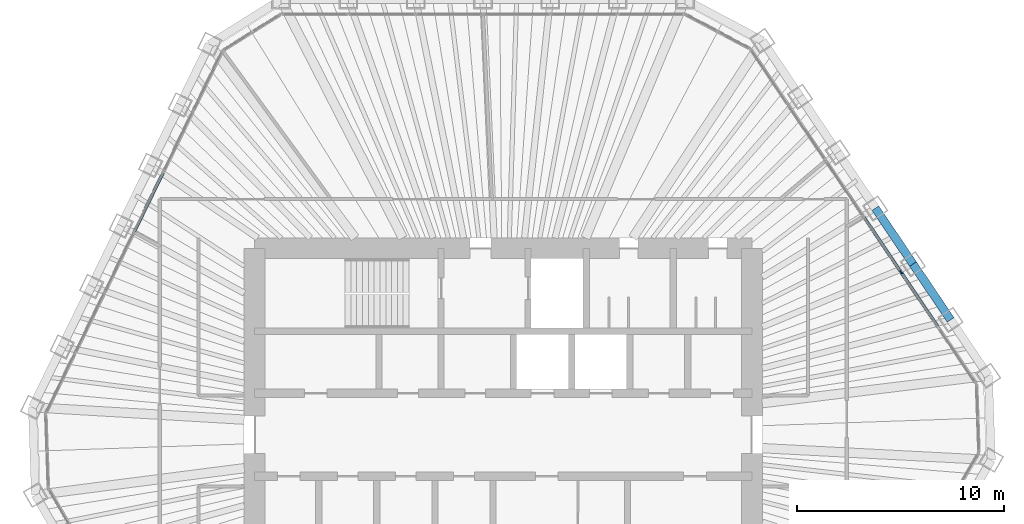
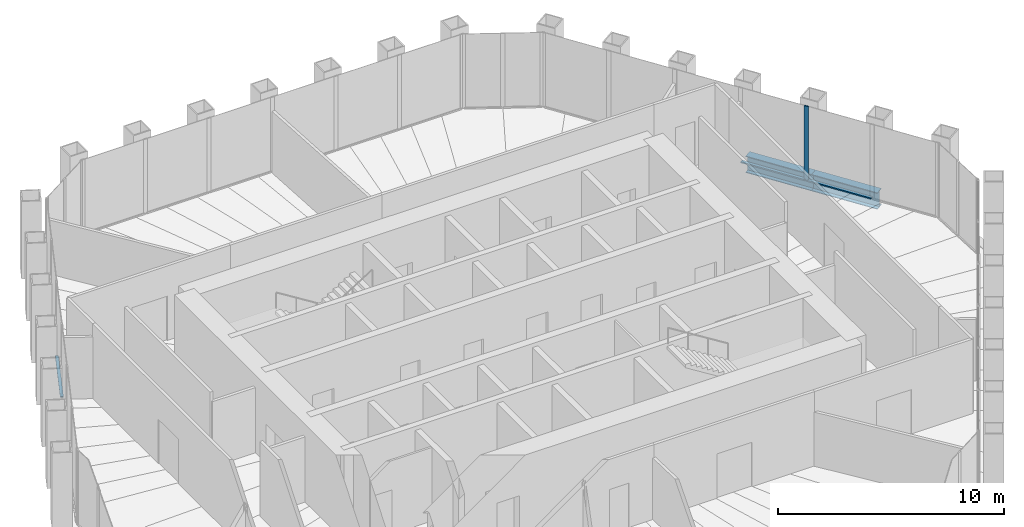
# One storey, part 6 of 14: 4 members, 2 beams, 2 elements without a shape of their own.
"""IFC4 building model written with IfcOpenShell, lengths in metres."""

from ifc_helpers import new_model, si_unit, direction, frame, origin, origin_2d, place, context, subcontext, project, spatial, rectangle, i_section, extrude, material, material_profile, profile_set, type_object, element, aggregate, save


model = new_model("IFC4")

# Units and contexts
model_context = context("Model", 3, precision=1e-05, world=origin(), true_north=direction((0.0, 1.0)))
body_context = subcontext(model_context, "Body", "Model", "MODEL_VIEW")
ifc_project = project(units=[si_unit("LENGTHUNIT", "METRE"), si_unit("AREAUNIT", "SQUARE_METRE"), si_unit("VOLUMEUNIT", "CUBIC_METRE"), si_unit("PLANEANGLEUNIT", "RADIAN"), si_unit("MASSUNIT", "GRAM", prefix="KILO")], contexts=[model_context])

# Site, building, storey
site_placement = place(None, origin())
site = spatial("IfcSite", under=ifc_project, at=site_placement, CompositionType="ELEMENT")
building_placement = place(site_placement, origin())
building = spatial("IfcBuilding", under=site, at=building_placement, Name="Qingtian Harvest Tower", CompositionType="ELEMENT")
storey_placement = place(building_placement, frame((0.0, 0.0, 291.39990234375)))
storey = spatial("IfcBuildingStorey", under=building, at=storey_placement, Name="L64", CompositionType="ELEMENT", Elevation=291.39990234375)

# Curtain wall, member
ifc_material_1 = material(Name="Bronze-anodised aluminium curtain wall", Category="aluminium")
curtain_wall_type = type_object("IfcCurtainWallType", Name="Curtain wall CW5 upper office", PredefinedType="USERDEFINED", material=ifc_material_1)
curtain_wall_1_placement = place(storey_placement, origin())
curtain_wall_1 = element("IfcCurtainWall", 1, at=curtain_wall_1_placement, inside=storey, type_object=curtain_wall_type, Name="Curtain wall CW5 L64 NE0-5", ObjectType="RECESSED CURTAIN WALL", PredefinedType="USERDEFINED")
ifc_material_2 = material(Name="Bronze-anodised aluminium mullion", Category="aluminium")
ifc_material_profile_1 = material_profile(ifc_material_2, rectangle(XDim=0.06494140625, YDim=0.199951171875, at=origin_2d()), Name="AL 65x200")
ifc_profile_set_1 = profile_set([ifc_material_profile_1], Name="Bronze-anodised aluminium mullion")
member_type_1 = type_object("IfcMemberType", Name="Mullion CWM 65x200", PredefinedType="MULLION", material=ifc_profile_set_1)
member_1_placement = place(storey_placement, frame((19.192626953125, 7.847900390625, 0.0), z_axis=(0.0, 0.0, 1.0), x_axis=(0.829037572555, 0.559192903471, 0.0)))
member_1 = element("IfcMember", 2, at=member_1_placement, type_object=member_type_1, Name="CW5 mullion 5", PredefinedType="MULLION", context=body_context, shape_type="SweptSolid", body=[
    extrude(rectangle(XDim=0.06494140625, YDim=0.199951171875, at=origin_2d()), origin(), (0.0, 0.0, 1.0), 4.030029296875),
])

# Beams
ifc_material_3 = material(Name="Steel SN490B", Category="steel")
ifc_material_profile_2 = material_profile(ifc_material_3, i_section(OverallWidth=0.39990234375, OverallDepth=0.89990234375, WebThickness=0.01904296875, FlangeThickness=0.035888671875, at=origin_2d()), Name="H900x400x19x36")
ifc_profile_set_2 = profile_set([ifc_material_profile_2], Name="Steel SN490B")
beam_type = type_object("IfcBeamType", Name="Spandrel beam SB4 H900x400x19x36", PredefinedType="SPANDREL", material=ifc_profile_set_2)
for number, where, z_axis, x_axis, name in (
    (3, (17.956787109375, 10.93212890625, -0.449951171875), (0.55915007887, -0.829066456504, 0.0), (0.829066456504, 0.55915007887, 0.0), "Spandrel SB4 NE3"),
    (4, (19.77294921875, 8.2392578125, -0.449951171875), (0.5592365864, -0.829008106372, 0.0), (0.829008106372, 0.5592365864, 0.0), "Spandrel SB4 NE4"),
):
    element("IfcBeam", number, at=place(storey_placement, frame(where, z_axis=z_axis, x_axis=x_axis)), inside=storey, type_object=beam_type, Name=name, PredefinedType="SPANDREL", context=body_context, shape_type="SweptSolid", body=[
        extrude(i_section(OverallWidth=0.39990234375, OverallDepth=0.89990234375, WebThickness=0.01904296875, FlangeThickness=0.035888671875, at=origin_2d()), origin(), (0.0, 0.0, 1.0), 3.248046875),
    ])

# Member
ifc_material_4 = material(Name="Bronze-anodised aluminium transom", Category="aluminium")
ifc_material_profile_3 = material_profile(ifc_material_4, rectangle(XDim=0.14990234375, YDim=0.06494140625, at=origin_2d()), Name="AL 65x150")
ifc_profile_set_3 = profile_set([ifc_material_profile_3], Name="Bronze-anodised aluminium transom")
member_type_2 = type_object("IfcMemberType", Name="Transom CWT 65x150", PredefinedType="USERDEFINED", material=ifc_profile_set_3)
member_2_placement = place(storey_placement, frame((17.39453125, 10.513671875, 0.03271484375), z_axis=(0.55920542009, -0.829029129852, 0.0), x_axis=(0.829029129852, 0.55920542009, 0.0)))
member_2 = element("IfcMember", 5, at=member_2_placement, type_object=member_type_2, Name="CW5 transom 4.1", ObjectType="TRANSOM", PredefinedType="USERDEFINED", context=body_context, shape_type="SweptSolid", body=[
    extrude(rectangle(XDim=0.14990234375, YDim=0.06494140625, at=origin_2d()), origin(), (0.0, 0.0, 1.0), 3.18310546875),
])

member_3_placement = place(storey_placement, frame((19.2109375, 7.821044921875, 0.03271484375), z_axis=(0.559152702955, -0.829064686727, 0.0), x_axis=(0.829064686727, 0.559152702955, 0.0)))
member_3 = element("IfcMember", 6, at=member_3_placement, type_object=member_type_2, Name="CW5 transom 5.1", ObjectType="TRANSOM", PredefinedType="USERDEFINED", context=body_context, shape_type="SweptSolid", body=[
    extrude(rectangle(XDim=0.14990234375, YDim=0.06494140625, at=origin_2d()), origin(), (0.0, 0.0, 1.0), 3.18310546875),
])

aggregate(curtain_wall_1, [member_1, member_2, member_3])

# Curtain wall, member
curtain_wall_2_placement = place(storey_placement, origin())
curtain_wall_2 = element("IfcCurtainWall", 7, at=curtain_wall_2_placement, inside=storey, type_object=curtain_wall_type, Name="Curtain wall CW5 L64 NW0-5", ObjectType="RECESSED CURTAIN WALL", PredefinedType="USERDEFINED")
member_4_placement = place(storey_placement, frame((-17.802490234375, 9.807373046875, 0.03271484375), z_axis=(0.438355626738, 0.898801615768, 0.0), x_axis=(-0.898801615768, 0.438355626738, 0.0)))
member_4 = element("IfcMember", 8, at=member_4_placement, type_object=member_type_2, Name="CW5 transom 4.1", ObjectType="TRANSOM", PredefinedType="USERDEFINED", context=body_context, shape_type="SweptSolid", body=[
    extrude(rectangle(XDim=0.14990234375, YDim=0.06494140625, at=origin_2d()), origin(), (0.0, 0.0, 1.0), 3.182861328125),
])
aggregate(curtain_wall_2, [member_4])

save(model, "model.ifc")
